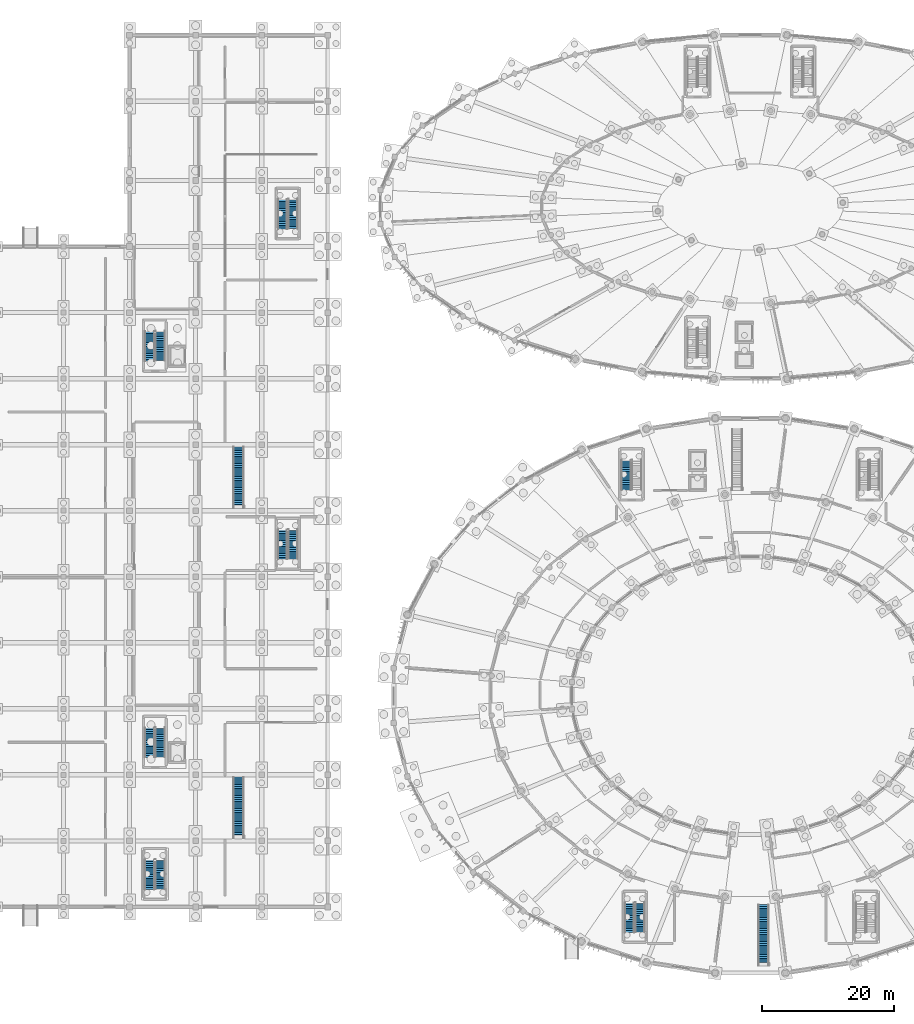
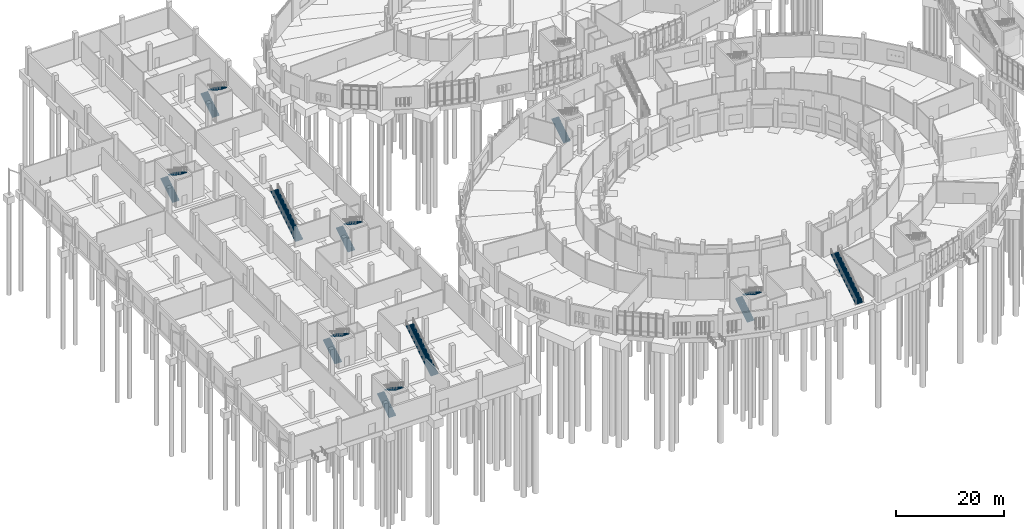
# One storey, part 96 of 140: 16 stair flights, 10 elements without a shape of their own.
"""IFC4 building model written with IfcOpenShell, lengths in metres."""

from ifc_helpers import new_model, si_unit, direction, frame, origin, place, context, subcontext, project, spatial, polyline, outline, extrude, material, layer, layer_set, type_object, element, aggregate, save


model = new_model("IFC4")

# Units and contexts
model_context = context("Model", 3, precision=1e-05, world=origin(), true_north=direction((0.0, 1.0)))
body_context = subcontext(model_context, "Body", "Model", "MODEL_VIEW")
ifc_project = project(units=[si_unit("LENGTHUNIT", "METRE"), si_unit("AREAUNIT", "SQUARE_METRE"), si_unit("VOLUMEUNIT", "CUBIC_METRE"), si_unit("PLANEANGLEUNIT", "RADIAN"), si_unit("MASSUNIT", "GRAM", prefix="KILO")], contexts=[model_context])

# Site, building, storey
site_placement = place(None, origin())
site = spatial("IfcSite", under=ifc_project, at=site_placement, CompositionType="ELEMENT")
building_placement = place(site_placement, origin())
building = spatial("IfcBuilding", under=site, at=building_placement, Name="Corvandel Quay Wholesale Market", CompositionType="ELEMENT")
storey_placement = place(building_placement, origin())
storey = spatial("IfcBuildingStorey", under=building, at=storey_placement, Name="L00", CompositionType="ELEMENT", Elevation=0.0)

# Stair, stair flight
ifc_material = material(Name="Concrete C40/50", Category="concrete")
stair_type_1 = type_object("IfcStairType", Name="Exit Stair Two-Return L00-L01 ST01", PredefinedType="USERDEFINED", material=ifc_material)
stair_1_placement = place(storey_placement, origin())
stair_1 = element("IfcStair", 1, at=stair_1_placement, inside=storey, type_object=stair_type_1, Name="Exit Stair STR-001", ObjectType="TWO_RETURN_STAIR", PredefinedType="USERDEFINED")
ifc_layer_1 = layer(ifc_material, 0.199951171875)
ifc_layer_set_1 = layer_set([ifc_layer_1], Name="Concrete C40/50")
stair_flight_type_1 = type_object("IfcStairFlightType", Name="Precast Stair Flight FL01 W1480", PredefinedType="STRAIGHT", material=ifc_layer_set_1)
stair_flight_1_placement = place(storey_placement, frame((95.199951171875, 73.14990234375, 0.0), z_axis=(0.0, 0.0, 1.0), x_axis=(0.0, 1.0, 0.0)))
stair_flight_1 = element("IfcStairFlight", 2, at=stair_flight_1_placement, type_object=stair_flight_type_1, Name="Stair Flight STR-001-F1", NumberOfRisers=17, NumberOfTreads=16, PredefinedType="STRAIGHT", RiserHeight=0.176471, TreadLength=0.28, context=body_context, shape_type="SweptSolid", body=[
    extrude(outline(polyline([(0.0, 0.0), (0.0, 0.176513671875), (0.280029296875, 0.176513671875), (0.280029296875, 0.35302734375), (0.56005859375, 0.35302734375), (0.56005859375, 0.529296875), (0.840087890625, 0.529296875), (0.840087890625, 0.705810546875), (1.1201171875, 0.705810546875), (1.1201171875, 0.88232421875), (1.39990234375, 0.88232421875), (1.39990234375, 1.058837890625), (1.679931640625, 1.058837890625), (1.679931640625, 1.2353515625), (1.9599609375, 1.2353515625), (1.9599609375, 1.411865234375), (2.239990234375, 1.411865234375), (2.239990234375, 1.588134765625), (2.52001953125, 1.588134765625), (2.52001953125, 1.7646484375), (2.800048828125, 1.7646484375), (2.800048828125, 1.941162109375), (3.080078125, 1.941162109375), (3.080078125, 2.11767578125), (3.360107421875, 2.11767578125), (3.360107421875, 2.294189453125), (3.639892578125, 2.294189453125), (3.639892578125, 2.470703125), (3.919921875, 2.470703125), (3.919921875, 2.64697265625), (4.199951171875, 2.64697265625), (4.199951171875, 2.823486328125), (4.47998046875, 2.823486328125), (4.47998046875, 3.0), (4.47998046875, 2.646240234375), (0.28125, 0.0), (0.0, 0.0)])), frame((0.0, 0.739990234375, 0.0), z_axis=(0.0, -1.0, 0.0), x_axis=(1.0, 0.0, 0.0)), (0.0, 0.0, 1.0), 1.47998046875),
])
aggregate(stair_1, [stair_flight_1])

# Stair, stair flights
stair_2_placement = place(storey_placement, origin())
stair_2 = element("IfcStair", 3, at=stair_2_placement, inside=storey, type_object=stair_type_1, Name="Exit Stair STR-005", ObjectType="TWO_RETURN_STAIR", PredefinedType="USERDEFINED")
stair_flight_2_placement = place(storey_placement, frame((95.699951171875, 6.14990234375, 0.0), z_axis=(0.0, 0.0, 1.0), x_axis=(0.0, 1.0, 0.0)))
stair_flight_2 = element("IfcStairFlight", 4, at=stair_flight_2_placement, type_object=stair_flight_type_1, Name="Stair Flight STR-005-F1", NumberOfRisers=17, NumberOfTreads=16, PredefinedType="STRAIGHT", RiserHeight=0.176471, TreadLength=0.28, context=body_context, shape_type="SweptSolid", body=[
    extrude(outline(polyline([(0.0, 0.0), (0.0, 0.176513671875), (0.280029296875, 0.176513671875), (0.280029296875, 0.35302734375), (0.56005859375, 0.35302734375), (0.56005859375, 0.529296875), (0.840087890625, 0.529296875), (0.840087890625, 0.705810546875), (1.1201171875, 0.705810546875), (1.1201171875, 0.88232421875), (1.39990234375, 0.88232421875), (1.39990234375, 1.058837890625), (1.679931640625, 1.058837890625), (1.679931640625, 1.2353515625), (1.9599609375, 1.2353515625), (1.9599609375, 1.411865234375), (2.239990234375, 1.411865234375), (2.239990234375, 1.588134765625), (2.52001953125, 1.588134765625), (2.52001953125, 1.7646484375), (2.800048828125, 1.7646484375), (2.800048828125, 1.941162109375), (3.080078125, 1.941162109375), (3.080078125, 2.11767578125), (3.360107421875, 2.11767578125), (3.360107421875, 2.294189453125), (3.639892578125, 2.294189453125), (3.639892578125, 2.470703125), (3.919921875, 2.470703125), (3.919921875, 2.64697265625), (4.199951171875, 2.64697265625), (4.199951171875, 2.823486328125), (4.47998046875, 2.823486328125), (4.47998046875, 3.0), (4.47998046875, 2.646240234375), (0.28125, 0.0), (0.0, 0.0)])), frame((0.0, 0.739990234375, 0.0), z_axis=(0.0, -1.0, 0.0), x_axis=(1.0, 0.0, 0.0)), (0.0, 0.0, 1.0), 1.47998046875),
])
stair_flight_3_placement = place(storey_placement, frame((97.300048828125, 10.699951171875, 3.0), z_axis=(0.0, 0.0, 1.0), x_axis=(0.0, -1.0, 0.0)))
stair_flight_3 = element("IfcStairFlight", 5, at=stair_flight_3_placement, type_object=stair_flight_type_1, Name="Stair Flight STR-005-F2", NumberOfRisers=17, NumberOfTreads=16, PredefinedType="STRAIGHT", RiserHeight=0.176471, TreadLength=0.28, context=body_context, shape_type="SweptSolid", body=[
    extrude(outline(polyline([(0.0, 0.0), (0.0, 0.176513671875), (0.280029296875, 0.176513671875), (0.280029296875, 0.35302734375), (0.56005859375, 0.35302734375), (0.56005859375, 0.529296875), (0.840087890625, 0.529296875), (0.840087890625, 0.705810546875), (1.1201171875, 0.705810546875), (1.1201171875, 0.88232421875), (1.39990234375, 0.88232421875), (1.39990234375, 1.058837890625), (1.679931640625, 1.058837890625), (1.679931640625, 1.2353515625), (1.9599609375, 1.2353515625), (1.9599609375, 1.411865234375), (2.239990234375, 1.411865234375), (2.239990234375, 1.588134765625), (2.52001953125, 1.588134765625), (2.52001953125, 1.7646484375), (2.800048828125, 1.7646484375), (2.800048828125, 1.941162109375), (3.080078125, 1.941162109375), (3.080078125, 2.11767578125), (3.360107421875, 2.11767578125), (3.360107421875, 2.294189453125), (3.639892578125, 2.294189453125), (3.639892578125, 2.470703125), (3.919921875, 2.470703125), (3.919921875, 2.64697265625), (4.199951171875, 2.64697265625), (4.199951171875, 2.823486328125), (4.47998046875, 2.823486328125), (4.47998046875, 3.0), (4.47998046875, 2.646240234375), (0.28125, 0.0), (0.0, 0.0)])), frame((0.0, 0.739990234375, 0.0), z_axis=(0.0, -1.0, 0.0), x_axis=(1.0, 0.0, 0.0)), (0.0, 0.0, 1.0), 1.47998046875),
])
aggregate(stair_2, [stair_flight_2, stair_flight_3])

stair_3_placement = place(storey_placement, origin())
stair_3 = element("IfcStair", 6, at=stair_3_placement, inside=storey, type_object=stair_type_1, Name="Exit Stair STR-018", ObjectType="TWO_RETURN_STAIR", PredefinedType="USERDEFINED")
stair_flight_4_placement = place(storey_placement, frame((23.050048828125, 32.64990234375, 0.0), z_axis=(0.0, 0.0, 1.0), x_axis=(0.0, 1.0, 0.0)))
stair_flight_4 = element("IfcStairFlight", 7, at=stair_flight_4_placement, type_object=stair_flight_type_1, Name="Stair Flight STR-018-F1", NumberOfRisers=17, NumberOfTreads=16, PredefinedType="STRAIGHT", RiserHeight=0.176471, TreadLength=0.28, context=body_context, shape_type="SweptSolid", body=[
    extrude(outline(polyline([(0.0, 0.0), (0.0, 0.176513671875), (0.280029296875, 0.176513671875), (0.280029296875, 0.35302734375), (0.56005859375, 0.35302734375), (0.56005859375, 0.529296875), (0.840087890625, 0.529296875), (0.840087890625, 0.705810546875), (1.1201171875, 0.705810546875), (1.1201171875, 0.88232421875), (1.39990234375, 0.88232421875), (1.39990234375, 1.058837890625), (1.679931640625, 1.058837890625), (1.679931640625, 1.2353515625), (1.9599609375, 1.2353515625), (1.9599609375, 1.411865234375), (2.239990234375, 1.411865234375), (2.239990234375, 1.588134765625), (2.52001953125, 1.588134765625), (2.52001953125, 1.7646484375), (2.800048828125, 1.7646484375), (2.800048828125, 1.941162109375), (3.080078125, 1.941162109375), (3.080078125, 2.11767578125), (3.360107421875, 2.11767578125), (3.360107421875, 2.294189453125), (3.639892578125, 2.294189453125), (3.639892578125, 2.470703125), (3.919921875, 2.470703125), (3.919921875, 2.64697265625), (4.199951171875, 2.64697265625), (4.199951171875, 2.823486328125), (4.47998046875, 2.823486328125), (4.47998046875, 3.0), (4.47998046875, 2.646240234375), (0.28125, 0.0), (0.0, 0.0)])), frame((0.0, 0.739990234375, 0.0), z_axis=(0.0, -1.0, 0.0), x_axis=(1.0, 0.0, 0.0)), (0.0, 0.0, 1.0), 1.47998046875),
])
stair_flight_5_placement = place(storey_placement, frame((24.64990234375, 37.199951171875, 3.0), z_axis=(0.0, 0.0, 1.0), x_axis=(0.0, -1.0, 0.0)))
stair_flight_5 = element("IfcStairFlight", 8, at=stair_flight_5_placement, type_object=stair_flight_type_1, Name="Stair Flight STR-018-F2", NumberOfRisers=17, NumberOfTreads=16, PredefinedType="STRAIGHT", RiserHeight=0.176471, TreadLength=0.28, context=body_context, shape_type="SweptSolid", body=[
    extrude(outline(polyline([(0.0, 0.0), (0.0, 0.176513671875), (0.280029296875, 0.176513671875), (0.280029296875, 0.35302734375), (0.56005859375, 0.35302734375), (0.56005859375, 0.529296875), (0.840087890625, 0.529296875), (0.840087890625, 0.705810546875), (1.1201171875, 0.705810546875), (1.1201171875, 0.88232421875), (1.39990234375, 0.88232421875), (1.39990234375, 1.058837890625), (1.679931640625, 1.058837890625), (1.679931640625, 1.2353515625), (1.9599609375, 1.2353515625), (1.9599609375, 1.411865234375), (2.239990234375, 1.411865234375), (2.239990234375, 1.588134765625), (2.52001953125, 1.588134765625), (2.52001953125, 1.7646484375), (2.800048828125, 1.7646484375), (2.800048828125, 1.941162109375), (3.080078125, 1.941162109375), (3.080078125, 2.11767578125), (3.360107421875, 2.11767578125), (3.360107421875, 2.294189453125), (3.639892578125, 2.294189453125), (3.639892578125, 2.470703125), (3.919921875, 2.470703125), (3.919921875, 2.64697265625), (4.199951171875, 2.64697265625), (4.199951171875, 2.823486328125), (4.47998046875, 2.823486328125), (4.47998046875, 3.0), (4.47998046875, 2.646240234375), (0.28125, 0.0), (0.0, 0.0)])), frame((0.0, 0.739990234375, 0.0), z_axis=(0.0, -1.0, 0.0), x_axis=(1.0, 0.0, 0.0)), (0.0, 0.0, 1.0), 1.47998046875),
])
aggregate(stair_3, [stair_flight_4, stair_flight_5])

stair_4_placement = place(storey_placement, origin())
stair_4 = element("IfcStair", 9, at=stair_4_placement, inside=storey, type_object=stair_type_1, Name="Exit Stair STR-020", ObjectType="TWO_RETURN_STAIR", PredefinedType="USERDEFINED")
stair_flight_6_placement = place(storey_placement, frame((23.050048828125, 92.64990234375, 0.0), z_axis=(0.0, 0.0, 1.0), x_axis=(0.0, 1.0, 0.0)))
stair_flight_6 = element("IfcStairFlight", 10, at=stair_flight_6_placement, type_object=stair_flight_type_1, Name="Stair Flight STR-020-F1", NumberOfRisers=17, NumberOfTreads=16, PredefinedType="STRAIGHT", RiserHeight=0.176471, TreadLength=0.28, context=body_context, shape_type="SweptSolid", body=[
    extrude(outline(polyline([(0.0, 0.0), (0.0, 0.176513671875), (0.280029296875, 0.176513671875), (0.280029296875, 0.35302734375), (0.56005859375, 0.35302734375), (0.56005859375, 0.529296875), (0.840087890625, 0.529296875), (0.840087890625, 0.705810546875), (1.1201171875, 0.705810546875), (1.1201171875, 0.88232421875), (1.39990234375, 0.88232421875), (1.39990234375, 1.058837890625), (1.679931640625, 1.058837890625), (1.679931640625, 1.2353515625), (1.9599609375, 1.2353515625), (1.9599609375, 1.411865234375), (2.239990234375, 1.411865234375), (2.239990234375, 1.588134765625), (2.52001953125, 1.588134765625), (2.52001953125, 1.7646484375), (2.800048828125, 1.7646484375), (2.800048828125, 1.941162109375), (3.080078125, 1.941162109375), (3.080078125, 2.11767578125), (3.360107421875, 2.11767578125), (3.360107421875, 2.294189453125), (3.639892578125, 2.294189453125), (3.639892578125, 2.470703125), (3.919921875, 2.470703125), (3.919921875, 2.64697265625), (4.199951171875, 2.64697265625), (4.199951171875, 2.823486328125), (4.47998046875, 2.823486328125), (4.47998046875, 3.0), (4.47998046875, 2.646240234375), (0.28125, 0.0), (0.0, 0.0)])), frame((0.0, 0.739990234375, 0.0), z_axis=(0.0, -1.0, 0.0), x_axis=(1.0, 0.0, 0.0)), (0.0, 0.0, 1.0), 1.47998046875),
])
stair_flight_7_placement = place(storey_placement, frame((24.64990234375, 97.199951171875, 3.0), z_axis=(0.0, 0.0, 1.0), x_axis=(0.0, -1.0, 0.0)))
stair_flight_7 = element("IfcStairFlight", 11, at=stair_flight_7_placement, type_object=stair_flight_type_1, Name="Stair Flight STR-020-F2", NumberOfRisers=17, NumberOfTreads=16, PredefinedType="STRAIGHT", RiserHeight=0.176471, TreadLength=0.28, context=body_context, shape_type="SweptSolid", body=[
    extrude(outline(polyline([(0.0, 0.0), (0.0, 0.176513671875), (0.280029296875, 0.176513671875), (0.280029296875, 0.35302734375), (0.56005859375, 0.35302734375), (0.56005859375, 0.529296875), (0.840087890625, 0.529296875), (0.840087890625, 0.705810546875), (1.1201171875, 0.705810546875), (1.1201171875, 0.88232421875), (1.39990234375, 0.88232421875), (1.39990234375, 1.058837890625), (1.679931640625, 1.058837890625), (1.679931640625, 1.2353515625), (1.9599609375, 1.2353515625), (1.9599609375, 1.411865234375), (2.239990234375, 1.411865234375), (2.239990234375, 1.588134765625), (2.52001953125, 1.588134765625), (2.52001953125, 1.7646484375), (2.800048828125, 1.7646484375), (2.800048828125, 1.941162109375), (3.080078125, 1.941162109375), (3.080078125, 2.11767578125), (3.360107421875, 2.11767578125), (3.360107421875, 2.294189453125), (3.639892578125, 2.294189453125), (3.639892578125, 2.470703125), (3.919921875, 2.470703125), (3.919921875, 2.64697265625), (4.199951171875, 2.64697265625), (4.199951171875, 2.823486328125), (4.47998046875, 2.823486328125), (4.47998046875, 3.0), (4.47998046875, 2.646240234375), (0.28125, 0.0), (0.0, 0.0)])), frame((0.0, 0.739990234375, 0.0), z_axis=(0.0, -1.0, 0.0), x_axis=(1.0, 0.0, 0.0)), (0.0, 0.0, 1.0), 1.47998046875),
])
aggregate(stair_4, [stair_flight_6, stair_flight_7])

stair_5_placement = place(storey_placement, origin())
stair_5 = element("IfcStair", 12, at=stair_5_placement, inside=storey, type_object=stair_type_1, Name="Exit Stair STR-022", ObjectType="TWO_RETURN_STAIR", PredefinedType="USERDEFINED")
stair_flight_8_placement = place(storey_placement, frame((43.14990234375, 62.64990234375, 0.0), z_axis=(0.0, 0.0, 1.0), x_axis=(0.0, 1.0, 0.0)))
stair_flight_8 = element("IfcStairFlight", 13, at=stair_flight_8_placement, type_object=stair_flight_type_1, Name="Stair Flight STR-022-F1", NumberOfRisers=17, NumberOfTreads=16, PredefinedType="STRAIGHT", RiserHeight=0.176471, TreadLength=0.28, context=body_context, shape_type="SweptSolid", body=[
    extrude(outline(polyline([(0.0, 0.0), (0.0, 0.176513671875), (0.280029296875, 0.176513671875), (0.280029296875, 0.35302734375), (0.56005859375, 0.35302734375), (0.56005859375, 0.529296875), (0.840087890625, 0.529296875), (0.840087890625, 0.705810546875), (1.1201171875, 0.705810546875), (1.1201171875, 0.88232421875), (1.39990234375, 0.88232421875), (1.39990234375, 1.058837890625), (1.679931640625, 1.058837890625), (1.679931640625, 1.2353515625), (1.9599609375, 1.2353515625), (1.9599609375, 1.411865234375), (2.239990234375, 1.411865234375), (2.239990234375, 1.588134765625), (2.52001953125, 1.588134765625), (2.52001953125, 1.7646484375), (2.800048828125, 1.7646484375), (2.800048828125, 1.941162109375), (3.080078125, 1.941162109375), (3.080078125, 2.11767578125), (3.360107421875, 2.11767578125), (3.360107421875, 2.294189453125), (3.639892578125, 2.294189453125), (3.639892578125, 2.470703125), (3.919921875, 2.470703125), (3.919921875, 2.64697265625), (4.199951171875, 2.64697265625), (4.199951171875, 2.823486328125), (4.47998046875, 2.823486328125), (4.47998046875, 3.0), (4.47998046875, 2.646240234375), (0.28125, 0.0), (0.0, 0.0)])), frame((0.0, 0.739990234375, 0.0), z_axis=(0.0, -1.0, 0.0), x_axis=(1.0, 0.0, 0.0)), (0.0, 0.0, 1.0), 1.47998046875),
])
stair_flight_9_placement = place(storey_placement, frame((44.75, 67.199951171875, 3.0), z_axis=(0.0, 0.0, 1.0), x_axis=(0.0, -1.0, 0.0)))
stair_flight_9 = element("IfcStairFlight", 14, at=stair_flight_9_placement, type_object=stair_flight_type_1, Name="Stair Flight STR-022-F2", NumberOfRisers=17, NumberOfTreads=16, PredefinedType="STRAIGHT", RiserHeight=0.176471, TreadLength=0.28, context=body_context, shape_type="SweptSolid", body=[
    extrude(outline(polyline([(0.0, 0.0), (0.0, 0.176513671875), (0.280029296875, 0.176513671875), (0.280029296875, 0.35302734375), (0.56005859375, 0.35302734375), (0.56005859375, 0.529296875), (0.840087890625, 0.529296875), (0.840087890625, 0.705810546875), (1.1201171875, 0.705810546875), (1.1201171875, 0.88232421875), (1.39990234375, 0.88232421875), (1.39990234375, 1.058837890625), (1.679931640625, 1.058837890625), (1.679931640625, 1.2353515625), (1.9599609375, 1.2353515625), (1.9599609375, 1.411865234375), (2.239990234375, 1.411865234375), (2.239990234375, 1.588134765625), (2.52001953125, 1.588134765625), (2.52001953125, 1.7646484375), (2.800048828125, 1.7646484375), (2.800048828125, 1.941162109375), (3.080078125, 1.941162109375), (3.080078125, 2.11767578125), (3.360107421875, 2.11767578125), (3.360107421875, 2.294189453125), (3.639892578125, 2.294189453125), (3.639892578125, 2.470703125), (3.919921875, 2.470703125), (3.919921875, 2.64697265625), (4.199951171875, 2.64697265625), (4.199951171875, 2.823486328125), (4.47998046875, 2.823486328125), (4.47998046875, 3.0), (4.47998046875, 2.646240234375), (0.28125, 0.0), (0.0, 0.0)])), frame((0.0, 0.739990234375, 0.0), z_axis=(0.0, -1.0, 0.0), x_axis=(1.0, 0.0, 0.0)), (0.0, 0.0, 1.0), 1.47998046875),
])
aggregate(stair_5, [stair_flight_8, stair_flight_9])

stair_6_placement = place(storey_placement, origin())
stair_6 = element("IfcStair", 15, at=stair_6_placement, inside=storey, type_object=stair_type_1, Name="Exit Stair STR-024", ObjectType="TWO_RETURN_STAIR", PredefinedType="USERDEFINED")
stair_flight_10_placement = place(storey_placement, frame((23.050048828125, 12.64990234375, 0.0), z_axis=(0.0, 0.0, 1.0), x_axis=(0.0, 1.0, 0.0)))
stair_flight_10 = element("IfcStairFlight", 16, at=stair_flight_10_placement, type_object=stair_flight_type_1, Name="Stair Flight STR-024-F1", NumberOfRisers=17, NumberOfTreads=16, PredefinedType="STRAIGHT", RiserHeight=0.176471, TreadLength=0.28, context=body_context, shape_type="SweptSolid", body=[
    extrude(outline(polyline([(0.0, 0.0), (0.0, 0.176513671875), (0.280029296875, 0.176513671875), (0.280029296875, 0.35302734375), (0.56005859375, 0.35302734375), (0.56005859375, 0.529296875), (0.840087890625, 0.529296875), (0.840087890625, 0.705810546875), (1.1201171875, 0.705810546875), (1.1201171875, 0.88232421875), (1.39990234375, 0.88232421875), (1.39990234375, 1.058837890625), (1.679931640625, 1.058837890625), (1.679931640625, 1.2353515625), (1.9599609375, 1.2353515625), (1.9599609375, 1.411865234375), (2.239990234375, 1.411865234375), (2.239990234375, 1.588134765625), (2.52001953125, 1.588134765625), (2.52001953125, 1.7646484375), (2.800048828125, 1.7646484375), (2.800048828125, 1.941162109375), (3.080078125, 1.941162109375), (3.080078125, 2.11767578125), (3.360107421875, 2.11767578125), (3.360107421875, 2.294189453125), (3.639892578125, 2.294189453125), (3.639892578125, 2.470703125), (3.919921875, 2.470703125), (3.919921875, 2.64697265625), (4.199951171875, 2.64697265625), (4.199951171875, 2.823486328125), (4.47998046875, 2.823486328125), (4.47998046875, 3.0), (4.47998046875, 2.646240234375), (0.28125, 0.0), (0.0, 0.0)])), frame((0.0, 0.739990234375, 0.0), z_axis=(0.0, -1.0, 0.0), x_axis=(1.0, 0.0, 0.0)), (0.0, 0.0, 1.0), 1.47998046875),
])
stair_flight_11_placement = place(storey_placement, frame((24.64990234375, 17.199951171875, 3.0), z_axis=(0.0, 0.0, 1.0), x_axis=(0.0, -1.0, 0.0)))
stair_flight_11 = element("IfcStairFlight", 17, at=stair_flight_11_placement, type_object=stair_flight_type_1, Name="Stair Flight STR-024-F2", NumberOfRisers=17, NumberOfTreads=16, PredefinedType="STRAIGHT", RiserHeight=0.176471, TreadLength=0.28, context=body_context, shape_type="SweptSolid", body=[
    extrude(outline(polyline([(0.0, 0.0), (0.0, 0.176513671875), (0.280029296875, 0.176513671875), (0.280029296875, 0.35302734375), (0.56005859375, 0.35302734375), (0.56005859375, 0.529296875), (0.840087890625, 0.529296875), (0.840087890625, 0.705810546875), (1.1201171875, 0.705810546875), (1.1201171875, 0.88232421875), (1.39990234375, 0.88232421875), (1.39990234375, 1.058837890625), (1.679931640625, 1.058837890625), (1.679931640625, 1.2353515625), (1.9599609375, 1.2353515625), (1.9599609375, 1.411865234375), (2.239990234375, 1.411865234375), (2.239990234375, 1.588134765625), (2.52001953125, 1.588134765625), (2.52001953125, 1.7646484375), (2.800048828125, 1.7646484375), (2.800048828125, 1.941162109375), (3.080078125, 1.941162109375), (3.080078125, 2.11767578125), (3.360107421875, 2.11767578125), (3.360107421875, 2.294189453125), (3.639892578125, 2.294189453125), (3.639892578125, 2.470703125), (3.919921875, 2.470703125), (3.919921875, 2.64697265625), (4.199951171875, 2.64697265625), (4.199951171875, 2.823486328125), (4.47998046875, 2.823486328125), (4.47998046875, 3.0), (4.47998046875, 2.646240234375), (0.28125, 0.0), (0.0, 0.0)])), frame((0.0, 0.739990234375, 0.0), z_axis=(0.0, -1.0, 0.0), x_axis=(1.0, 0.0, 0.0)), (0.0, 0.0, 1.0), 1.47998046875),
])
aggregate(stair_6, [stair_flight_10, stair_flight_11])

stair_7_placement = place(storey_placement, origin())
stair_7 = element("IfcStair", 18, at=stair_7_placement, inside=storey, type_object=stair_type_1, Name="Exit Stair STR-025", ObjectType="TWO_RETURN_STAIR", PredefinedType="USERDEFINED")
stair_flight_12_placement = place(storey_placement, frame((43.14990234375, 112.64990234375, 0.0), z_axis=(0.0, 0.0, 1.0), x_axis=(0.0, 1.0, 0.0)))
stair_flight_12 = element("IfcStairFlight", 19, at=stair_flight_12_placement, type_object=stair_flight_type_1, Name="Stair Flight STR-025-F1", NumberOfRisers=17, NumberOfTreads=16, PredefinedType="STRAIGHT", RiserHeight=0.176471, TreadLength=0.28, context=body_context, shape_type="SweptSolid", body=[
    extrude(outline(polyline([(0.0, 0.0), (0.0, 0.176513671875), (0.280029296875, 0.176513671875), (0.280029296875, 0.35302734375), (0.56005859375, 0.35302734375), (0.56005859375, 0.529296875), (0.840087890625, 0.529296875), (0.840087890625, 0.705810546875), (1.1201171875, 0.705810546875), (1.1201171875, 0.88232421875), (1.39990234375, 0.88232421875), (1.39990234375, 1.058837890625), (1.679931640625, 1.058837890625), (1.679931640625, 1.2353515625), (1.9599609375, 1.2353515625), (1.9599609375, 1.411865234375), (2.239990234375, 1.411865234375), (2.239990234375, 1.588134765625), (2.52001953125, 1.588134765625), (2.52001953125, 1.7646484375), (2.800048828125, 1.7646484375), (2.800048828125, 1.941162109375), (3.080078125, 1.941162109375), (3.080078125, 2.11767578125), (3.360107421875, 2.11767578125), (3.360107421875, 2.294189453125), (3.639892578125, 2.294189453125), (3.639892578125, 2.470703125), (3.919921875, 2.470703125), (3.919921875, 2.64697265625), (4.199951171875, 2.64697265625), (4.199951171875, 2.823486328125), (4.47998046875, 2.823486328125), (4.47998046875, 3.0), (4.47998046875, 2.646240234375), (0.28125, 0.0), (0.0, 0.0)])), frame((0.0, 0.739990234375, 0.0), z_axis=(0.0, -1.0, 0.0), x_axis=(1.0, 0.0, 0.0)), (0.0, 0.0, 1.0), 1.47998046875),
])
stair_flight_13_placement = place(storey_placement, frame((44.75, 117.199951171875, 3.0), z_axis=(0.0, 0.0, 1.0), x_axis=(0.0, -1.0, 0.0)))
stair_flight_13 = element("IfcStairFlight", 20, at=stair_flight_13_placement, type_object=stair_flight_type_1, Name="Stair Flight STR-025-F2", NumberOfRisers=17, NumberOfTreads=16, PredefinedType="STRAIGHT", RiserHeight=0.176471, TreadLength=0.28, context=body_context, shape_type="SweptSolid", body=[
    extrude(outline(polyline([(0.0, 0.0), (0.0, 0.176513671875), (0.280029296875, 0.176513671875), (0.280029296875, 0.35302734375), (0.56005859375, 0.35302734375), (0.56005859375, 0.529296875), (0.840087890625, 0.529296875), (0.840087890625, 0.705810546875), (1.1201171875, 0.705810546875), (1.1201171875, 0.88232421875), (1.39990234375, 0.88232421875), (1.39990234375, 1.058837890625), (1.679931640625, 1.058837890625), (1.679931640625, 1.2353515625), (1.9599609375, 1.2353515625), (1.9599609375, 1.411865234375), (2.239990234375, 1.411865234375), (2.239990234375, 1.588134765625), (2.52001953125, 1.588134765625), (2.52001953125, 1.7646484375), (2.800048828125, 1.7646484375), (2.800048828125, 1.941162109375), (3.080078125, 1.941162109375), (3.080078125, 2.11767578125), (3.360107421875, 2.11767578125), (3.360107421875, 2.294189453125), (3.639892578125, 2.294189453125), (3.639892578125, 2.470703125), (3.919921875, 2.470703125), (3.919921875, 2.64697265625), (4.199951171875, 2.64697265625), (4.199951171875, 2.823486328125), (4.47998046875, 2.823486328125), (4.47998046875, 3.0), (4.47998046875, 2.646240234375), (0.28125, 0.0), (0.0, 0.0)])), frame((0.0, 0.739990234375, 0.0), z_axis=(0.0, -1.0, 0.0), x_axis=(1.0, 0.0, 0.0)), (0.0, 0.0, 1.0), 1.47998046875),
])
aggregate(stair_7, [stair_flight_12, stair_flight_13])

# Stair, stair flight
stair_type_2 = type_object("IfcStairType", Name="Gallery Feature Straight Stair ST04 W1600", PredefinedType="STRAIGHT_RUN_STAIR", material=ifc_material)
stair_8_placement = place(storey_placement, origin())
stair_8 = element("IfcStair", 21, at=stair_8_placement, inside=storey, type_object=stair_type_2, Name="Straight Stair STR-042", PredefinedType="STRAIGHT_RUN_STAIR")
ifc_layer_2 = layer(ifc_material, 0.199951171875)
ifc_layer_set_2 = layer_set([ifc_layer_2], Name="Concrete C40/50")
stair_flight_type_2 = type_object("IfcStairFlightType", Name="Straight Stair Flight FL04 W1600", PredefinedType="STRAIGHT", material=ifc_layer_set_2)
stair_flight_14_placement = place(storey_placement, frame((116.0, 1.10009765625, 0.0), z_axis=(0.0, 0.0, 1.0), x_axis=(0.0, 1.0, 0.0)))
stair_flight_14 = element("IfcStairFlight", 22, at=stair_flight_14_placement, type_object=stair_flight_type_2, Name="Straight Flight STR-042-F1", NumberOfRisers=34, NumberOfTreads=33, PredefinedType="STRAIGHT", RiserHeight=0.176471, TreadLength=0.28, context=body_context, shape_type="SweptSolid", body=[
    extrude(outline(polyline([(0.0, 0.0), (0.0, 0.176513671875), (0.280029296875, 0.176513671875), (0.280029296875, 0.35302734375), (0.56005859375, 0.35302734375), (0.56005859375, 0.529296875), (0.840087890625, 0.529296875), (0.840087890625, 0.705810546875), (1.1201171875, 0.705810546875), (1.1201171875, 0.88232421875), (1.39990234375, 0.88232421875), (1.39990234375, 1.058837890625), (1.679931640625, 1.058837890625), (1.679931640625, 1.2353515625), (1.9599609375, 1.2353515625), (1.9599609375, 1.411865234375), (2.239990234375, 1.411865234375), (2.239990234375, 1.588134765625), (2.52001953125, 1.588134765625), (2.52001953125, 1.7646484375), (2.800048828125, 1.7646484375), (2.800048828125, 1.941162109375), (3.080078125, 1.941162109375), (3.080078125, 2.11767578125), (3.360107421875, 2.11767578125), (3.360107421875, 2.294189453125), (3.639892578125, 2.294189453125), (3.639892578125, 2.470703125), (3.919921875, 2.470703125), (3.919921875, 2.64697265625), (4.199951171875, 2.64697265625), (4.199951171875, 2.823486328125), (4.47998046875, 2.823486328125), (4.47998046875, 3.0), (4.760009765625, 3.0), (4.760009765625, 3.176513671875), (5.0400390625, 3.176513671875), (5.0400390625, 3.35302734375), (5.320068359375, 3.35302734375), (5.320068359375, 3.529541015625), (5.60009765625, 3.529541015625), (5.60009765625, 3.705810546875), (5.8798828125, 3.705810546875), (5.8798828125, 3.88232421875), (6.159912109375, 3.88232421875), (6.159912109375, 4.058837890625), (6.43994140625, 4.058837890625), (6.43994140625, 4.2353515625), (6.719970703125, 4.2353515625), (6.719970703125, 4.411865234375), (7.0, 4.411865234375), (7.0, 4.588134765625), (7.280029296875, 4.588134765625), (7.280029296875, 4.7646484375), (7.56005859375, 4.7646484375), (7.56005859375, 4.941162109375), (7.840087890625, 4.941162109375), (7.840087890625, 5.11767578125), (8.1201171875, 5.11767578125), (8.1201171875, 5.294189453125), (8.39990234375, 5.294189453125), (8.39990234375, 5.470703125), (8.679931640625, 5.470703125), (8.679931640625, 5.64697265625), (8.9599609375, 5.64697265625), (8.9599609375, 5.823486328125), (9.239990234375, 5.823486328125), (9.239990234375, 6.0), (9.239990234375, 5.646240234375), (0.28125, 0.0), (0.0, 0.0)])), frame((0.0, 0.800048828125, 0.0), z_axis=(0.0, -1.0, 0.0), x_axis=(1.0, 0.0, 0.0)), (0.0, 0.0, 1.0), 1.60009765625),
])
aggregate(stair_8, [stair_flight_14])

stair_9_placement = place(storey_placement, origin())
stair_9 = element("IfcStair", 23, at=stair_9_placement, inside=storey, type_object=stair_type_2, Name="Straight Stair STR-044", PredefinedType="STRAIGHT_RUN_STAIR")
stair_flight_15_placement = place(storey_placement, frame((36.5, 20.39990234375, 0.0), z_axis=(0.0, 0.0, 1.0), x_axis=(0.0, 1.0, 0.0)))
stair_flight_15 = element("IfcStairFlight", 24, at=stair_flight_15_placement, type_object=stair_flight_type_2, Name="Straight Flight STR-044-F1", NumberOfRisers=34, NumberOfTreads=33, PredefinedType="STRAIGHT", RiserHeight=0.176471, TreadLength=0.28, context=body_context, shape_type="SweptSolid", body=[
    extrude(outline(polyline([(0.0, 0.0), (0.0, 0.176513671875), (0.280029296875, 0.176513671875), (0.280029296875, 0.35302734375), (0.56005859375, 0.35302734375), (0.56005859375, 0.529296875), (0.840087890625, 0.529296875), (0.840087890625, 0.705810546875), (1.1201171875, 0.705810546875), (1.1201171875, 0.88232421875), (1.39990234375, 0.88232421875), (1.39990234375, 1.058837890625), (1.679931640625, 1.058837890625), (1.679931640625, 1.2353515625), (1.9599609375, 1.2353515625), (1.9599609375, 1.411865234375), (2.239990234375, 1.411865234375), (2.239990234375, 1.588134765625), (2.52001953125, 1.588134765625), (2.52001953125, 1.7646484375), (2.800048828125, 1.7646484375), (2.800048828125, 1.941162109375), (3.080078125, 1.941162109375), (3.080078125, 2.11767578125), (3.360107421875, 2.11767578125), (3.360107421875, 2.294189453125), (3.639892578125, 2.294189453125), (3.639892578125, 2.470703125), (3.919921875, 2.470703125), (3.919921875, 2.64697265625), (4.199951171875, 2.64697265625), (4.199951171875, 2.823486328125), (4.47998046875, 2.823486328125), (4.47998046875, 3.0), (4.760009765625, 3.0), (4.760009765625, 3.176513671875), (5.0400390625, 3.176513671875), (5.0400390625, 3.35302734375), (5.320068359375, 3.35302734375), (5.320068359375, 3.529541015625), (5.60009765625, 3.529541015625), (5.60009765625, 3.705810546875), (5.8798828125, 3.705810546875), (5.8798828125, 3.88232421875), (6.159912109375, 3.88232421875), (6.159912109375, 4.058837890625), (6.43994140625, 4.058837890625), (6.43994140625, 4.2353515625), (6.719970703125, 4.2353515625), (6.719970703125, 4.411865234375), (7.0, 4.411865234375), (7.0, 4.588134765625), (7.280029296875, 4.588134765625), (7.280029296875, 4.7646484375), (7.56005859375, 4.7646484375), (7.56005859375, 4.941162109375), (7.840087890625, 4.941162109375), (7.840087890625, 5.11767578125), (8.1201171875, 5.11767578125), (8.1201171875, 5.294189453125), (8.39990234375, 5.294189453125), (8.39990234375, 5.470703125), (8.679931640625, 5.470703125), (8.679931640625, 5.64697265625), (8.9599609375, 5.64697265625), (8.9599609375, 5.823486328125), (9.239990234375, 5.823486328125), (9.239990234375, 6.0), (9.239990234375, 5.646240234375), (0.28125, 0.0), (0.0, 0.0)])), frame((0.0, 0.800048828125, 0.0), z_axis=(0.0, -1.0, 0.0), x_axis=(1.0, 0.0, 0.0)), (0.0, 0.0, 1.0), 1.60009765625),
])
aggregate(stair_9, [stair_flight_15])

stair_10_placement = place(storey_placement, origin())
stair_10 = element("IfcStair", 25, at=stair_10_placement, inside=storey, type_object=stair_type_2, Name="Straight Stair STR-045", PredefinedType="STRAIGHT_RUN_STAIR")
stair_flight_16_placement = place(storey_placement, frame((36.5, 70.39990234375, 0.0), z_axis=(0.0, 0.0, 1.0), x_axis=(0.0, 1.0, 0.0)))
stair_flight_16 = element("IfcStairFlight", 26, at=stair_flight_16_placement, type_object=stair_flight_type_2, Name="Straight Flight STR-045-F1", NumberOfRisers=34, NumberOfTreads=33, PredefinedType="STRAIGHT", RiserHeight=0.176471, TreadLength=0.28, context=body_context, shape_type="SweptSolid", body=[
    extrude(outline(polyline([(0.0, 0.0), (0.0, 0.176513671875), (0.280029296875, 0.176513671875), (0.280029296875, 0.35302734375), (0.56005859375, 0.35302734375), (0.56005859375, 0.529296875), (0.840087890625, 0.529296875), (0.840087890625, 0.705810546875), (1.1201171875, 0.705810546875), (1.1201171875, 0.88232421875), (1.39990234375, 0.88232421875), (1.39990234375, 1.058837890625), (1.679931640625, 1.058837890625), (1.679931640625, 1.2353515625), (1.9599609375, 1.2353515625), (1.9599609375, 1.411865234375), (2.239990234375, 1.411865234375), (2.239990234375, 1.588134765625), (2.52001953125, 1.588134765625), (2.52001953125, 1.7646484375), (2.800048828125, 1.7646484375), (2.800048828125, 1.941162109375), (3.080078125, 1.941162109375), (3.080078125, 2.11767578125), (3.360107421875, 2.11767578125), (3.360107421875, 2.294189453125), (3.639892578125, 2.294189453125), (3.639892578125, 2.470703125), (3.919921875, 2.470703125), (3.919921875, 2.64697265625), (4.199951171875, 2.64697265625), (4.199951171875, 2.823486328125), (4.47998046875, 2.823486328125), (4.47998046875, 3.0), (4.760009765625, 3.0), (4.760009765625, 3.176513671875), (5.0400390625, 3.176513671875), (5.0400390625, 3.35302734375), (5.320068359375, 3.35302734375), (5.320068359375, 3.529541015625), (5.60009765625, 3.529541015625), (5.60009765625, 3.705810546875), (5.8798828125, 3.705810546875), (5.8798828125, 3.88232421875), (6.159912109375, 3.88232421875), (6.159912109375, 4.058837890625), (6.43994140625, 4.058837890625), (6.43994140625, 4.2353515625), (6.719970703125, 4.2353515625), (6.719970703125, 4.411865234375), (7.0, 4.411865234375), (7.0, 4.588134765625), (7.280029296875, 4.588134765625), (7.280029296875, 4.7646484375), (7.56005859375, 4.7646484375), (7.56005859375, 4.941162109375), (7.840087890625, 4.941162109375), (7.840087890625, 5.11767578125), (8.1201171875, 5.11767578125), (8.1201171875, 5.294189453125), (8.39990234375, 5.294189453125), (8.39990234375, 5.470703125), (8.679931640625, 5.470703125), (8.679931640625, 5.64697265625), (8.9599609375, 5.64697265625), (8.9599609375, 5.823486328125), (9.239990234375, 5.823486328125), (9.239990234375, 6.0), (9.239990234375, 5.646240234375), (0.28125, 0.0), (0.0, 0.0)])), frame((0.0, 0.800048828125, 0.0), z_axis=(0.0, -1.0, 0.0), x_axis=(1.0, 0.0, 0.0)), (0.0, 0.0, 1.0), 1.60009765625),
])
aggregate(stair_10, [stair_flight_16])

save(model, "model.ifc")
